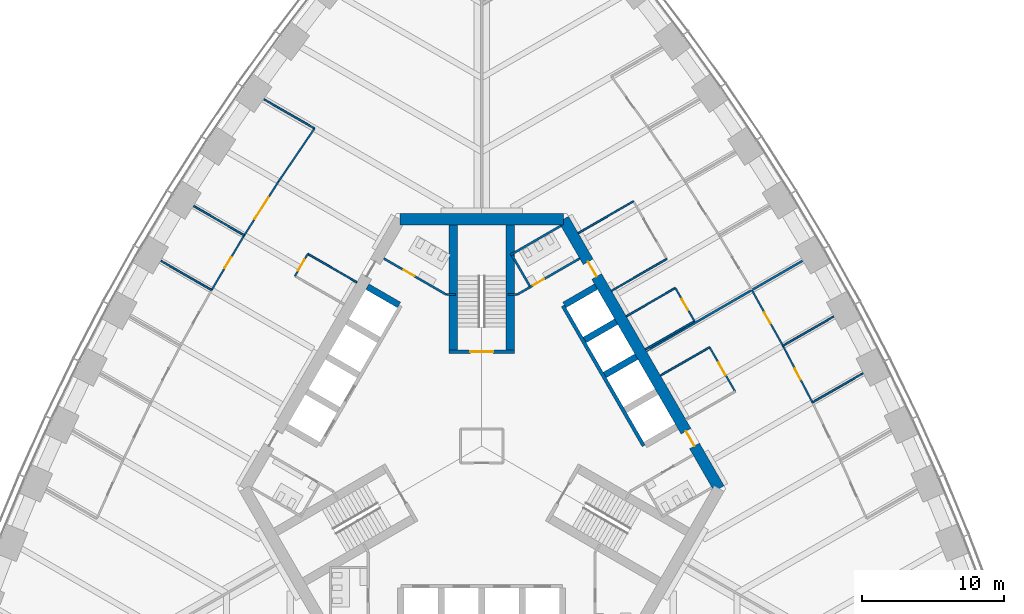
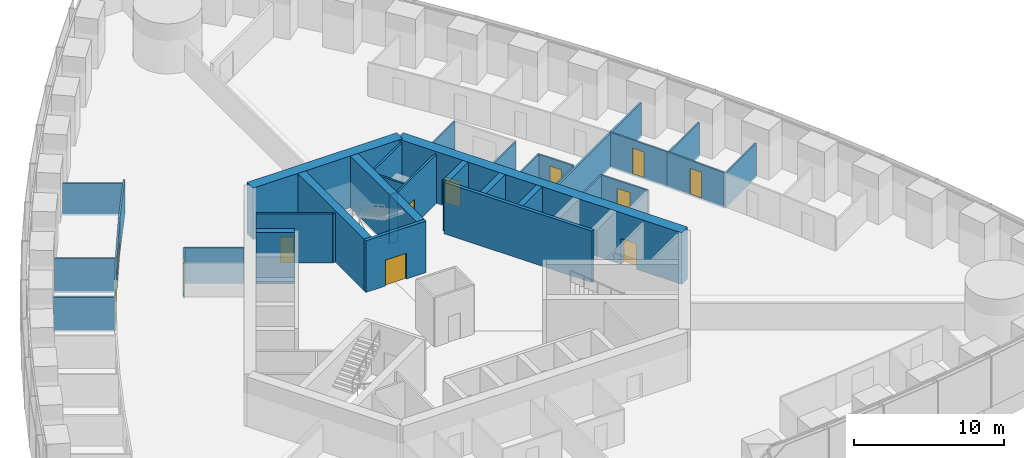
# One storey, part 12 of 19: 36 walls, 12 doors, 12 openings.
"""IFC4 building model written with IfcOpenShell, lengths in metres."""

from ifc_helpers import new_model, si_unit, direction, frame, frame_2d, origin, place, context, subcontext, project, spatial, rectangle, extrude, material, layer, layer_set, type_object, element, fill, save


model = new_model("IFC4")

# Units and contexts
model_context = context("Model", 3, precision=1e-05, world=origin(), true_north=direction((0.0, 1.0)))
body_context = subcontext(model_context, "Body", "Model", "MODEL_VIEW")
ifc_project = project(units=[si_unit("LENGTHUNIT", "METRE"), si_unit("AREAUNIT", "SQUARE_METRE"), si_unit("VOLUMEUNIT", "CUBIC_METRE"), si_unit("PLANEANGLEUNIT", "RADIAN"), si_unit("MASSUNIT", "GRAM", prefix="KILO")], contexts=[model_context])

# Site, building, storey
site_placement = place(None, origin())
site = spatial("IfcSite", under=ifc_project, at=site_placement, CompositionType="ELEMENT")
building_placement = place(site_placement, origin())
building = spatial("IfcBuilding", under=site, at=building_placement, Name="Trefoil Bronze Tower", CompositionType="ELEMENT")
storey_placement = place(building_placement, frame((0.0, 0.0, 79.5)))
storey = spatial("IfcBuildingStorey", under=building, at=storey_placement, Name="L18", CompositionType="ELEMENT", Elevation=79.5)

# Wall, openings, doors
ifc_material_1 = material(Name="Concrete B80", Category="concrete")
ifc_layer_1 = layer(ifc_material_1, 0.800048828125)
ifc_layer_set_1 = layer_set([ifc_layer_1], Name="Core wall 800")
wall_type_1 = type_object("IfcWallType", Name="Core wall 800", PredefinedType="SHEAR", material=ifc_layer_set_1)
wall_1_placement = place(storey_placement, frame((16.7431640625, -3.0, 0.0), z_axis=(0.0, 0.0, 1.0), x_axis=(-0.500002442456, 0.866023993627, 0.0)))
wall_1 = element("IfcWall", 1, at=wall_1_placement, inside=storey, type_object=wall_type_1, Name="Core long wall 2 L18", PredefinedType="SHEAR", context=body_context, shape_type="SweptSolid", body=[
    extrude(rectangle(XDim=21.939453125, YDim=0.800048828125, at=frame_2d((10.9697265625, 0.0))), origin(), (0.0, 0.0, 1.0), 4.199951171875),
])
opening_1_placement = place(wall_1_placement, frame((17.269775390625, 0.0, 0.0)))
opening_1 = element("IfcOpeningElement", 2, at=opening_1_placement, cuts=wall_1, Name="Opening D2", PredefinedType="OPENING", context=body_context, shape_type="SweptSolid", body=[
    extrude(rectangle(XDim=1.199951171875, YDim=2.10009765625, at=frame_2d((0.60009765625, 1.050048828125))), frame((0.0, 0.409912109375, 0.0), z_axis=(0.0, -1.0, 0.0), x_axis=(1.0, 0.0, 0.0)), (0.0, 0.0, 1.0), 0.820068359375),
])
opening_2_placement = place(wall_1_placement, frame((3.4697265625, 0.0, 0.0)))
opening_2 = element("IfcOpeningElement", 3, at=opening_2_placement, cuts=wall_1, Name="Opening D2", PredefinedType="OPENING", context=body_context, shape_type="SweptSolid", body=[
    extrude(rectangle(XDim=1.199951171875, YDim=2.10009765625, at=frame_2d((0.60009765625, 1.050048828125))), frame((0.0, 0.409912109375, 0.0), z_axis=(0.0, -1.0, 0.0), x_axis=(1.0, 0.0, 0.0)), (0.0, 0.0, 1.0), 0.820068359375),
])
ifc_material_2 = material(Name="Steel door", Category="steel")
door_type_1 = type_object("IfcDoorType", Name="Lobby door 1200", OperationType="SINGLE_SWING_RIGHT", PredefinedType="DOOR", material=ifc_material_2)
door_1_placement = place(opening_1_placement, origin())
door_1 = element("IfcDoor", 4, at=door_1_placement, inside=storey, type_object=door_type_1, Name="Lobby door F2+ L18", OperationType="SINGLE_SWING_RIGHT", OverallHeight=2.10009765625, OverallWidth=1.199951171875, PredefinedType="DOOR", context=body_context, shape_type="SweptSolid", body=[
    extrude(rectangle(XDim=1.199951171875, YDim=2.10009765625, at=frame_2d((0.60009765625, 1.050048828125))), frame((0.0, 0.02490234375, 0.0), z_axis=(0.0, -1.0, 0.0), x_axis=(1.0, 0.0, 0.0)), (0.0, 0.0, 1.0), 0.050048828125),
])
fill(opening_1, door_1)
door_2_placement = place(opening_2_placement, origin())
door_2 = element("IfcDoor", 5, at=door_2_placement, inside=storey, type_object=door_type_1, Name="Lobby door F2- L18", OperationType="SINGLE_SWING_LEFT", OverallHeight=2.10009765625, OverallWidth=1.199951171875, PredefinedType="DOOR", context=body_context, shape_type="SweptSolid", body=[
    extrude(rectangle(XDim=1.199951171875, YDim=2.10009765625, at=frame_2d((0.60009765625, 1.050048828125))), frame((0.0, 0.02490234375, 0.0), z_axis=(0.0, -1.0, 0.0), x_axis=(1.0, 0.0, 0.0)), (0.0, 0.0, 1.0), 0.050048828125),
])
fill(opening_2, door_2)

# Wall
wall_2_placement = place(storey_placement, frame((5.7734375, 16.0, 0.0), z_axis=(0.0, 0.0, 1.0), x_axis=(-1.0, 0.0, 0.0)))
element("IfcWall", 6, at=wall_2_placement, inside=storey, type_object=wall_type_1, Name="Core short wall 2 L18", PredefinedType="SHEAR", context=body_context, shape_type="SweptSolid", body=[
    extrude(rectangle(XDim=11.546875, YDim=0.800048828125, at=frame_2d((5.7734375, 0.0))), origin(), (0.0, 0.0, 1.0), 4.199951171875),
])

# Wall, opening, door
ifc_material_3 = material(Name="Glazed partition", Category="glass")
ifc_layer_2 = layer(ifc_material_3, 0.1201171875)
ifc_layer_set_2 = layer_set([ifc_layer_2], Name="Glazed partition 120")
wall_type_2 = type_object("IfcWallType", Name="Glazed partition 120", PredefinedType="PARTITIONING", material=ifc_layer_set_2)
wall_3_placement = place(storey_placement, frame((15.00634765625, 8.808349609375, 0.0), z_axis=(0.0, 0.0, 1.0), x_axis=(-0.500048589285, 0.86599734893, 0.0)))
wall_3 = element("IfcWall", 7, at=wall_3_placement, inside=storey, type_object=wall_type_2, Name="Partition F2 L18", PredefinedType="PARTITIONING", context=body_context, shape_type="SweptSolid", body=[
    extrude(rectangle(XDim=2.699951171875, YDim=0.1201171875, at=frame_2d((1.35009765625, 0.0))), origin(), (0.0, 0.0, 1.0), 2.89990234375),
])
opening_3_placement = place(wall_3_placement, frame((0.89990234375, 0.0, 0.14990234375)))
opening_3 = element("IfcOpeningElement", 8, at=opening_3_placement, cuts=wall_3, Name="Opening D8", PredefinedType="OPENING", context=body_context, shape_type="SweptSolid", body=[
    extrude(rectangle(XDim=0.89990234375, YDim=2.10009765625, at=frame_2d((0.449951171875, 1.050048828125))), frame((0.0, 0.070068359375, 0.0), z_axis=(0.0, -1.0, 0.0), x_axis=(1.0, 0.0, 0.0)), (0.0, 0.0, 1.0), 0.14013671875),
])
ifc_material_4 = material(Name="Timber door", Category="wood")
door_type_2 = type_object("IfcDoorType", Name="Office door 900", OperationType="SINGLE_SWING_LEFT", PredefinedType="DOOR", material=ifc_material_4)
door_3_placement = place(opening_3_placement, origin())
door_3 = element("IfcDoor", 9, at=door_3_placement, inside=storey, type_object=door_type_2, Name="Pantry door F2 L18", OperationType="SINGLE_SWING_LEFT", OverallHeight=2.10009765625, OverallWidth=0.89990234375, PredefinedType="DOOR", context=body_context, shape_type="SweptSolid", body=[
    extrude(rectangle(XDim=0.89990234375, YDim=2.10009765625, at=frame_2d((0.449951171875, 1.050048828125))), frame((0.0, 0.02490234375, 0.0), z_axis=(0.0, -1.0, 0.0), x_axis=(1.0, 0.0, 0.0)), (0.0, 0.0, 1.0), 0.050048828125),
])
fill(opening_3, door_3)

wall_4_placement = place(storey_placement, frame((17.868896484375, 3.850341796875, 0.0), z_axis=(0.0, 0.0, 1.0), x_axis=(-0.500012057535, 0.866018442252, 0.0)))
wall_4 = element("IfcWall", 10, at=wall_4_placement, inside=storey, type_object=wall_type_2, Name="Partition F2 L18", PredefinedType="PARTITIONING", context=body_context, shape_type="SweptSolid", body=[
    extrude(rectangle(XDim=3.60009765625, YDim=0.1201171875, at=frame_2d((1.800048828125, 0.0))), origin(), (0.0, 0.0, 1.0), 2.89990234375),
])
opening_4_placement = place(wall_4_placement, frame((1.35009765625, 0.0, 0.14990234375)))
opening_4 = element("IfcOpeningElement", 11, at=opening_4_placement, cuts=wall_4, Name="Opening D9", PredefinedType="OPENING", context=body_context, shape_type="SweptSolid", body=[
    extrude(rectangle(XDim=1.0, YDim=2.10009765625, at=frame_2d((0.5, 1.050048828125))), frame((0.0, 0.070068359375, 0.0), z_axis=(0.0, -1.0, 0.0), x_axis=(1.0, 0.0, 0.0)), (0.0, 0.0, 1.0), 0.14013671875),
])
ifc_material_5 = material(Name="Glazed timber door", Category="wood")
door_type_3 = type_object("IfcDoorType", Name="Meeting room door 1000", OperationType="SINGLE_SWING_LEFT", PredefinedType="DOOR", material=ifc_material_5)
door_4_placement = place(opening_4_placement, origin())
door_4 = element("IfcDoor", 12, at=door_4_placement, inside=storey, type_object=door_type_3, Name="Meeting room door F2 L18", OperationType="SINGLE_SWING_RIGHT", OverallHeight=2.10009765625, OverallWidth=1.0, PredefinedType="DOOR", context=body_context, shape_type="SweptSolid", body=[
    extrude(rectangle(XDim=1.0, YDim=2.10009765625, at=frame_2d((0.5, 1.050048828125))), frame((0.0, 0.02490234375, 0.0), z_axis=(0.0, -1.0, 0.0), x_axis=(1.0, 0.0, 0.0)), (0.0, 0.0, 1.0), 0.050048828125),
])
fill(opening_4, door_4)

# Walls
wall_5_placement = place(storey_placement, frame((11.542236328125, 6.808349609375, 0.0), z_axis=(0.0, 0.0, 1.0), x_axis=(0.866026010844, 0.49999894854, 0.0)))
element("IfcWall", 13, at=wall_5_placement, inside=storey, type_object=wall_type_2, Name="Partition F2 L18", PredefinedType="PARTITIONING", context=body_context, shape_type="SweptSolid", body=[
    extrude(rectangle(XDim=4.0, YDim=0.1201171875, at=frame_2d((2.0, 0.0))), origin(), (0.0, 0.0, 1.0), 2.800048828125),
])
wall_6_placement = place(storey_placement, frame((10.192138671875, 9.146484375, 0.0), z_axis=(0.0, 0.0, 1.0), x_axis=(0.866026010844, 0.49999894854, 0.0)))
element("IfcWall", 14, at=wall_6_placement, inside=storey, type_object=wall_type_2, Name="Partition F2 L18", PredefinedType="PARTITIONING", context=body_context, shape_type="SweptSolid", body=[
    extrude(rectangle(XDim=4.0, YDim=0.1201171875, at=frame_2d((2.0, 0.0))), origin(), (0.0, 0.0, 1.0), 2.89990234375),
])
wall_7_placement = place(storey_placement, frame((9.15478515625, 10.943603515625, 0.0), z_axis=(0.0, 0.0, 1.0), x_axis=(0.866017533419, 0.500013631625, 0.0)))
element("IfcWall", 15, at=wall_7_placement, inside=storey, type_object=wall_type_2, Name="Partition F2 L18", PredefinedType="PARTITIONING", context=body_context, shape_type="SweptSolid", body=[
    extrude(rectangle(XDim=4.499755859375, YDim=0.1201171875, at=frame_2d((2.25, 0.0))), origin(), (0.0, 0.0, 1.0), 2.89990234375),
])
wall_8_placement = place(storey_placement, frame((6.8046875, 15.013916015625, 0.0), z_axis=(0.0, 0.0, 1.0), x_axis=(0.866031096941, 0.499990139034, 0.0)))
element("IfcWall", 16, at=wall_8_placement, inside=storey, type_object=wall_type_2, Name="Partition F2 L18", PredefinedType="PARTITIONING", context=body_context, shape_type="SweptSolid", body=[
    extrude(rectangle(XDim=4.5, YDim=0.1201171875, at=frame_2d((2.25, 0.0))), origin(), (0.0, 0.0, 1.0), 2.89990234375),
])
wall_9_placement = place(storey_placement, frame((12.604736328125, 4.968017578125, 0.0), z_axis=(0.0, 0.0, 1.0), x_axis=(0.866026010844, 0.49999894854, 0.0)))
element("IfcWall", 17, at=wall_9_placement, inside=storey, type_object=wall_type_2, Name="Partition F2 L18", PredefinedType="PARTITIONING", context=body_context, shape_type="SweptSolid", body=[
    extrude(rectangle(XDim=4.0, YDim=0.1201171875, at=frame_2d((2.0, 0.0))), origin(), (0.0, 0.0, 1.0), 2.89990234375),
])

# Wall, opening, door
wall_10_placement = place(storey_placement, frame((21.244873046875, 7.069580078125, 0.0), z_axis=(0.0, 0.0, 1.0), x_axis=(-0.487373854787, 0.873193406795, 0.0)))
wall_10 = element("IfcWall", 18, at=wall_10_placement, inside=storey, type_object=wall_type_2, Name="Partition F2 L18", PredefinedType="PARTITIONING", context=body_context, shape_type="SweptSolid", body=[
    extrude(rectangle(XDim=4.500244140625, YDim=0.1201171875, at=frame_2d((2.25, 0.0))), origin(), (0.0, 0.0, 1.0), 2.89990234375),
])
opening_5_placement = place(wall_10_placement, frame((1.800048828125, 0.0, 0.14990234375)))
opening_5 = element("IfcOpeningElement", 19, at=opening_5_placement, cuts=wall_10, Name="Opening D8", PredefinedType="OPENING", context=body_context, shape_type="SweptSolid", body=[
    extrude(rectangle(XDim=0.89990234375, YDim=2.10009765625, at=frame_2d((0.449951171875, 1.050048828125))), frame((0.0, 0.070068359375, 0.0), z_axis=(0.0, -1.0, 0.0), x_axis=(1.0, 0.0, 0.0)), (0.0, 0.0, 1.0), 0.14013671875),
])
door_5_placement = place(opening_5_placement, frame((0.89990234375, 0.0, 0.0), z_axis=(0.0, 0.0, 1.0), x_axis=(-1.0, 0.0, 0.0)))
door_5 = element("IfcDoor", 20, at=door_5_placement, inside=storey, type_object=door_type_2, Name="Office door F2 L18", OperationType="SINGLE_SWING_RIGHT", OverallHeight=2.10009765625, OverallWidth=0.89990234375, PredefinedType="DOOR", context=body_context, shape_type="SweptSolid", body=[
    extrude(rectangle(XDim=0.89990234375, YDim=2.10009765625, at=frame_2d((0.449951171875, 1.050048828125))), frame((0.0, 0.02490234375, 0.0), z_axis=(0.0, -1.0, 0.0), x_axis=(1.0, 0.0, 0.0)), (0.0, 0.0, 1.0), 0.050048828125),
])
fill(opening_5, door_5)

wall_11_placement = place(storey_placement, frame((23.3251953125, 3.074462890625, 0.0), z_axis=(0.0, 0.0, 1.0), x_axis=(-0.461852697957, 0.886956642339, 0.0)))
wall_11 = element("IfcWall", 21, at=wall_11_placement, inside=storey, type_object=wall_type_2, Name="Partition F2 L18", PredefinedType="PARTITIONING", context=body_context, shape_type="SweptSolid", body=[
    extrude(rectangle(XDim=4.50439453125, YDim=0.1201171875, at=frame_2d((2.252197265625, 0.0))), origin(), (0.0, 0.0, 1.0), 2.89990234375),
])
opening_6_placement = place(wall_11_placement, frame((1.800048828125, 0.0, 0.14990234375)))
opening_6 = element("IfcOpeningElement", 22, at=opening_6_placement, cuts=wall_11, Name="Opening D8", PredefinedType="OPENING", context=body_context, shape_type="SweptSolid", body=[
    extrude(rectangle(XDim=0.89990234375, YDim=2.10009765625, at=frame_2d((0.449951171875, 1.050048828125))), frame((0.0, 0.070068359375, 0.0), z_axis=(0.0, -1.0, 0.0), x_axis=(1.0, 0.0, 0.0)), (0.0, 0.0, 1.0), 0.14013671875),
])
door_6_placement = place(opening_6_placement, frame((0.89990234375, 0.0, 0.0), z_axis=(0.0, 0.0, 1.0), x_axis=(-1.0, 0.0, 0.0)))
door_6 = element("IfcDoor", 23, at=door_6_placement, inside=storey, type_object=door_type_2, Name="Office door F2 L18", OperationType="SINGLE_SWING_RIGHT", OverallHeight=2.10009765625, OverallWidth=0.89990234375, PredefinedType="DOOR", context=body_context, shape_type="SweptSolid", body=[
    extrude(rectangle(XDim=0.89990234375, YDim=2.10009765625, at=frame_2d((0.449951171875, 1.050048828125))), frame((0.0, 0.02490234375, 0.0), z_axis=(0.0, -1.0, 0.0), x_axis=(1.0, 0.0, 0.0)), (0.0, 0.0, 1.0), 0.050048828125),
])
fill(opening_6, door_6)

# Walls
wall_12_placement = place(storey_placement, frame((21.244873046875, 7.069580078125, 0.0), z_axis=(0.0, 0.0, 1.0), x_axis=(0.866031617834, 0.499989236795, 0.0)))
element("IfcWall", 24, at=wall_12_placement, inside=storey, type_object=wall_type_2, Name="Partition F2 L18", PredefinedType="PARTITIONING", context=body_context, shape_type="SweptSolid", body=[
    extrude(rectangle(XDim=4.119140625, YDim=0.1201171875, at=frame_2d((2.0595703125, 0.0))), origin(), (0.0, 0.0, 1.0), 2.800048828125),
])
wall_13_placement = place(storey_placement, frame((23.3251953125, 3.074462890625, 0.0), z_axis=(0.0, 0.0, 1.0), x_axis=(0.866030556495, 0.499991075137, 0.0)))
element("IfcWall", 25, at=wall_13_placement, inside=storey, type_object=wall_type_2, Name="Partition F2 L18", PredefinedType="PARTITIONING", context=body_context, shape_type="SweptSolid", body=[
    extrude(rectangle(XDim=4.1171875, YDim=0.1201171875, at=frame_2d((2.05859375, 0.0))), origin(), (0.0, 0.0, 1.0), 2.800048828125),
])

# Wall, opening, door
wall_14_placement = place(storey_placement, frame((-12.268798828125, 13.5498046875, 0.0), z_axis=(0.0, 0.0, 1.0), x_axis=(-0.500062916607, -0.865989075817, 0.0)))
wall_14 = element("IfcWall", 26, at=wall_14_placement, inside=storey, type_object=wall_type_2, Name="Partition F3 L18", PredefinedType="PARTITIONING", context=body_context, shape_type="SweptSolid", body=[
    extrude(rectangle(XDim=1.800048828125, YDim=0.1201171875, at=frame_2d((0.89990234375, 0.0))), origin(), (0.0, 0.0, 1.0), 2.89990234375),
])
opening_7_placement = place(wall_14_placement, frame((0.449951171875, 0.0, 0.14990234375)))
opening_7 = element("IfcOpeningElement", 27, at=opening_7_placement, cuts=wall_14, Name="Opening D8", PredefinedType="OPENING", context=body_context, shape_type="SweptSolid", body=[
    extrude(rectangle(XDim=0.89990234375, YDim=2.10009765625, at=frame_2d((0.449951171875, 1.050048828125))), frame((0.0, 0.070068359375, 0.0), z_axis=(0.0, -1.0, 0.0), x_axis=(1.0, 0.0, 0.0)), (0.0, 0.0, 1.0), 0.14013671875),
])
door_7_placement = place(opening_7_placement, origin())
door_7 = element("IfcDoor", 28, at=door_7_placement, inside=storey, type_object=door_type_2, Name="Focus room door F3 L18", OperationType="SINGLE_SWING_LEFT", OverallHeight=2.10009765625, OverallWidth=0.89990234375, PredefinedType="DOOR", context=body_context, shape_type="SweptSolid", body=[
    extrude(rectangle(XDim=0.89990234375, YDim=2.10009765625, at=frame_2d((0.449951171875, 1.050048828125))), frame((0.0, 0.02490234375, 0.0), z_axis=(0.0, -1.0, 0.0), x_axis=(1.0, 0.0, 0.0)), (0.0, 0.0, 1.0), 0.050048828125),
])
fill(opening_7, door_7)

# Walls
wall_15_placement = place(storey_placement, frame((-8.8046875, 11.5498046875, 0.0), z_axis=(0.0, 0.0, 1.0), x_axis=(-0.866026010844, 0.49999894854, 0.0)))
element("IfcWall", 29, at=wall_15_placement, inside=storey, type_object=wall_type_2, Name="Partition F3 L18", PredefinedType="PARTITIONING", context=body_context, shape_type="SweptSolid", body=[
    extrude(rectangle(XDim=4.0, YDim=0.1201171875, at=frame_2d((2.0, 0.0))), origin(), (0.0, 0.0, 1.0), 2.89990234375),
])
wall_16_placement = place(storey_placement, frame((-11.791748046875, 22.396240234375, 0.0), z_axis=(0.0, 0.0, 1.0), x_axis=(-0.561512004239, -0.827468591002, 0.0)))
element("IfcWall", 30, at=wall_16_placement, inside=storey, type_object=wall_type_2, Name="Partition F3 L18", PredefinedType="PARTITIONING", context=body_context, shape_type="SweptSolid", body=[
    extrude(rectangle(XDim=4.51171875, YDim=0.1201171875, at=frame_2d((2.255859375, 0.0))), origin(), (0.0, 0.0, 1.0), 2.89990234375),
])

# Wall, opening, door
wall_17_placement = place(storey_placement, frame((-16.744873046875, 14.86376953125, 0.0), z_axis=(0.0, 0.0, 1.0), x_axis=(-0.51252396108, -0.858672923364, 0.0)))
wall_17 = element("IfcWall", 31, at=wall_17_placement, inside=storey, type_object=wall_type_2, Name="Partition F3 L18", PredefinedType="PARTITIONING", context=body_context, shape_type="SweptSolid", body=[
    extrude(rectangle(XDim=4.50048828125, YDim=0.1201171875, at=frame_2d((2.250244140625, 0.0))), origin(), (0.0, 0.0, 1.0), 2.89990234375),
])
opening_8_placement = place(wall_17_placement, frame((1.800048828125, 0.0, 0.14990234375)))
opening_8 = element("IfcOpeningElement", 32, at=opening_8_placement, cuts=wall_17, Name="Opening D8", PredefinedType="OPENING", context=body_context, shape_type="SweptSolid", body=[
    extrude(rectangle(XDim=0.89990234375, YDim=2.10009765625, at=frame_2d((0.449951171875, 1.050048828125))), frame((0.0, 0.070068359375, 0.0), z_axis=(0.0, -1.0, 0.0), x_axis=(1.0, 0.0, 0.0)), (0.0, 0.0, 1.0), 0.14013671875),
])
door_8_placement = place(opening_8_placement, frame((0.89990234375, 0.0, 0.0), z_axis=(0.0, 0.0, 1.0), x_axis=(-1.0, 0.0, 0.0)))
door_8 = element("IfcDoor", 33, at=door_8_placement, inside=storey, type_object=door_type_2, Name="Office door F3 L18", OperationType="SINGLE_SWING_RIGHT", OverallHeight=2.10009765625, OverallWidth=0.89990234375, PredefinedType="DOOR", context=body_context, shape_type="SweptSolid", body=[
    extrude(rectangle(XDim=0.89990234375, YDim=2.10009765625, at=frame_2d((0.449951171875, 1.050048828125))), frame((0.0, 0.02490234375, 0.0), z_axis=(0.0, -1.0, 0.0), x_axis=(1.0, 0.0, 0.0)), (0.0, 0.0, 1.0), 0.050048828125),
])
fill(opening_8, door_8)

wall_18_placement = place(storey_placement, frame((-14.3251953125, 18.662841796875, 0.0), z_axis=(0.0, 0.0, 1.0), x_axis=(-0.537205132487, -0.843451626135, 0.0)))
wall_18 = element("IfcWall", 34, at=wall_18_placement, inside=storey, type_object=wall_type_2, Name="Partition F3 L18", PredefinedType="PARTITIONING", context=body_context, shape_type="SweptSolid", body=[
    extrude(rectangle(XDim=4.504150390625, YDim=0.1201171875, at=frame_2d((2.251953125, 0.0))), origin(), (0.0, 0.0, 1.0), 2.89990234375),
])
opening_9_placement = place(wall_18_placement, frame((1.35009765625, 0.0, 0.14990234375)))
opening_9 = element("IfcOpeningElement", 35, at=opening_9_placement, cuts=wall_18, Name="Opening D10", PredefinedType="OPENING", context=body_context, shape_type="SweptSolid", body=[
    extrude(rectangle(XDim=1.800048828125, YDim=2.10009765625, at=frame_2d((0.89990234375, 1.050048828125))), frame((0.0, 0.070068359375, 0.0), z_axis=(0.0, -1.0, 0.0), x_axis=(1.0, 0.0, 0.0)), (0.0, 0.0, 1.0), 0.14013671875),
])
ifc_material_6 = material(Name="Timber door", Category="wood")
door_type_4 = type_object("IfcDoorType", Name="Double door 1800", OperationType="DOUBLE_DOOR_SINGLE_SWING", PredefinedType="DOOR", material=ifc_material_6)
door_9_placement = place(opening_9_placement, frame((1.800048828125, 0.0, 0.0), z_axis=(0.0, 0.0, 1.0), x_axis=(-1.0, 0.0, 0.0)))
door_9 = element("IfcDoor", 36, at=door_9_placement, inside=storey, type_object=door_type_4, Name="Library door F3 L18", OperationType="DOUBLE_DOOR_SINGLE_SWING", OverallHeight=2.10009765625, OverallWidth=1.800048828125, PredefinedType="DOOR", context=body_context, shape_type="SweptSolid", body=[
    extrude(rectangle(XDim=1.800048828125, YDim=2.10009765625, at=frame_2d((0.89990234375, 1.050048828125))), frame((0.0, 0.02490234375, 0.0), z_axis=(0.0, -1.0, 0.0), x_axis=(1.0, 0.0, 0.0)), (0.0, 0.0, 1.0), 0.050048828125),
])
fill(opening_9, door_9)

# Walls
wall_19_placement = place(storey_placement, frame((-19.051513671875, 10.999267578125, 0.0), z_axis=(0.0, 0.0, 1.0), x_axis=(-0.866009926209, 0.50002680699, 0.0)))
element("IfcWall", 37, at=wall_19_placement, inside=storey, type_object=wall_type_2, Name="Partition F3 L18", PredefinedType="PARTITIONING", context=body_context, shape_type="SweptSolid", body=[
    extrude(rectangle(XDim=4.119873046875, YDim=0.1201171875, at=frame_2d((2.06005859375, 0.0))), origin(), (0.0, 0.0, 1.0), 2.800048828125),
])
wall_20_placement = place(storey_placement, frame((-11.791748046875, 22.396240234375, 0.0), z_axis=(0.0, 0.0, 1.0), x_axis=(-0.865991869213, 0.500058079084, 0.0)))
element("IfcWall", 38, at=wall_20_placement, inside=storey, type_object=wall_type_2, Name="Partition F3 L18", PredefinedType="PARTITIONING", context=body_context, shape_type="SweptSolid", body=[
    extrude(rectangle(XDim=4.11376953125, YDim=0.1201171875, at=frame_2d((2.056884765625, 0.0))), origin(), (0.0, 0.0, 1.0), 2.60009765625),
])
wall_21_placement = place(storey_placement, frame((-16.744873046875, 14.86376953125, 0.0), z_axis=(0.0, 0.0, 1.0), x_axis=(-0.8660059538, 0.500033686847, 0.0)))
element("IfcWall", 39, at=wall_21_placement, inside=storey, type_object=wall_type_2, Name="Partition F3 L18", PredefinedType="PARTITIONING", context=body_context, shape_type="SweptSolid", body=[
    extrude(rectangle(XDim=4.119384765625, YDim=0.1201171875, at=frame_2d((2.0595703125, 0.0))), origin(), (0.0, 0.0, 1.0), 2.800048828125),
])
ifc_material_7 = material(Name="Concrete B80", Category="concrete")
ifc_layer_3 = layer(ifc_material_7, 0.449951171875)
ifc_layer_set_3 = layer_set([ifc_layer_3], Name="Outrigger shaft wall 450")
wall_type_3 = type_object("IfcWallType", Name="Outrigger shaft wall 450", PredefinedType="SHEAR", material=ifc_layer_set_3)
for number, where, z_axis, x_axis, name in (
    (40, (8.681884765625, 5.012451171875, 0.0), (0.0, 0.0, 1.0), (0.866005588531, 0.500034319456, 0.0), "Lift shaft side wall B2 L18"),
    (41, (7.2568359375, 7.480712890625, 0.0), (0.0, 0.0, 1.0), (0.866046643894, 0.499963209246, 0.0), "Lift shaft side wall B3 L18"),
):
    element("IfcWall", number, at=place(storey_placement, frame(where, z_axis=z_axis, x_axis=x_axis)), inside=storey, type_object=wall_type_3, Name=name, PredefinedType="SHEAR", context=body_context, shape_type="SweptSolid", body=[
        extrude(rectangle(XDim=2.574951171875, YDim=0.449951171875, at=frame_2d((1.28759765625, 0.0))), origin(), (0.0, 0.0, 1.0), 4.199951171875),
    ])
for number, where, z_axis, x_axis, name in (
    (42, (5.831787109375, 9.94873046875, 0.0), (0.0, 0.0, 1.0), (0.866029291668, 0.499993265928, 0.0), "Lift shaft side wall B4 L18"),
    (43, (-5.831787109375, 9.94873046875, 0.0), (0.0, 0.0, 1.0), (-0.866029291668, 0.499993265928, 0.0), "Lift shaft side wall C0 L18"),
):
    element("IfcWall", number, at=place(storey_placement, frame(where, z_axis=z_axis, x_axis=x_axis)), inside=storey, type_object=wall_type_3, Name=name, PredefinedType="SHEAR", context=body_context, shape_type="SweptSolid", body=[
        extrude(rectangle(XDim=2.5751953125, YDim=0.449951171875, at=frame_2d((1.28759765625, 0.0))), origin(), (0.0, 0.0, 1.0), 4.199951171875),
    ])

# Wall, opening, door
ifc_material_8 = material(Name="Gypsum board on steel studs", Category="steel")
ifc_layer_4 = layer(ifc_material_8, 0.14990234375)
ifc_layer_set_4 = layer_set([ifc_layer_4], Name="Partition 150")
wall_type_4 = type_object("IfcWallType", Name="Partition 150", PredefinedType="PARTITIONING", material=ifc_layer_set_4)
wall_22_placement = place(storey_placement, frame((2.4951171875, 10.67822265625, 0.0), z_axis=(0.0, 0.0, 1.0), x_axis=(0.86602216432, 0.500005610874, 0.0)))
wall_22 = element("IfcWall", 44, at=wall_22_placement, inside=storey, type_object=wall_type_4, Name="Passage wall F2+ L18", PredefinedType="PARTITIONING", context=body_context, shape_type="SweptSolid", body=[
    extrude(rectangle(XDim=5.10009765625, YDim=0.14990234375, at=frame_2d((2.550048828125, 0.0))), origin(), (0.0, 0.0, 1.0), 4.0),
])
opening_10_placement = place(wall_22_placement, frame((1.300048828125, 0.0, 0.0)))
opening_10 = element("IfcOpeningElement", 45, at=opening_10_placement, cuts=wall_22, Name="Opening D3", PredefinedType="OPENING", context=body_context, shape_type="SweptSolid", body=[
    extrude(rectangle(XDim=0.89990234375, YDim=2.10009765625, at=frame_2d((0.449951171875, 1.050048828125))), frame((0.0, 0.0849609375, 0.0), z_axis=(0.0, -1.0, 0.0), x_axis=(1.0, 0.0, 0.0)), (0.0, 0.0, 1.0), 0.169921875),
])
ifc_material_9 = material(Name="Timber door", Category="wood")
door_type_5 = type_object("IfcDoorType", Name="WC door 900", OperationType="SINGLE_SWING_LEFT", PredefinedType="DOOR", material=ifc_material_9)
door_10_placement = place(opening_10_placement, origin())
door_10 = element("IfcDoor", 46, at=door_10_placement, inside=storey, type_object=door_type_5, Name="WC (men) door L18", OperationType="SINGLE_SWING_LEFT", OverallHeight=2.10009765625, OverallWidth=0.89990234375, PredefinedType="DOOR", context=body_context, shape_type="SweptSolid", body=[
    extrude(rectangle(XDim=0.89990234375, YDim=2.10009765625, at=frame_2d((0.449951171875, 1.050048828125))), frame((0.0, 0.02490234375, 0.0), z_axis=(0.0, -1.0, 0.0), x_axis=(1.0, 0.0, 0.0)), (0.0, 0.0, 1.0), 0.050048828125),
])
fill(opening_10, door_10)

wall_23_placement = place(storey_placement, frame((-2.4951171875, 10.67822265625, 0.0), z_axis=(0.0, 0.0, 1.0), x_axis=(-0.86602216432, 0.500005610874, 0.0)))
wall_23 = element("IfcWall", 47, at=wall_23_placement, inside=storey, type_object=wall_type_4, Name="Passage wall F3- L18", PredefinedType="PARTITIONING", context=body_context, shape_type="SweptSolid", body=[
    extrude(rectangle(XDim=5.10009765625, YDim=0.14990234375, at=frame_2d((2.550048828125, 0.0))), origin(), (0.0, 0.0, 1.0), 4.0),
])
opening_11_placement = place(wall_23_placement, frame((2.60009765625, 0.0, 0.0)))
opening_11 = element("IfcOpeningElement", 48, at=opening_11_placement, cuts=wall_23, Name="Opening D3", PredefinedType="OPENING", context=body_context, shape_type="SweptSolid", body=[
    extrude(rectangle(XDim=0.89990234375, YDim=2.10009765625, at=frame_2d((0.449951171875, 1.050048828125))), frame((0.0, 0.0849609375, 0.0), z_axis=(0.0, -1.0, 0.0), x_axis=(1.0, 0.0, 0.0)), (0.0, 0.0, 1.0), 0.169921875),
])
door_11_placement = place(opening_11_placement, frame((0.89990234375, 0.0, 0.0), z_axis=(0.0, 0.0, 1.0), x_axis=(-1.0, 0.0, 0.0)))
door_11 = element("IfcDoor", 49, at=door_11_placement, inside=storey, type_object=door_type_5, Name="WC (women) door L18", OperationType="SINGLE_SWING_LEFT", OverallHeight=2.10009765625, OverallWidth=0.89990234375, PredefinedType="DOOR", context=body_context, shape_type="SweptSolid", body=[
    extrude(rectangle(XDim=0.89990234375, YDim=2.10009765625, at=frame_2d((0.449951171875, 1.050048828125))), frame((0.0, 0.02490234375, 0.0), z_axis=(0.0, -1.0, 0.0), x_axis=(1.0, 0.0, 0.0)), (0.0, 0.0, 1.0), 0.050048828125),
])
fill(opening_11, door_11)

# Walls
for number, where, z_axis, x_axis, name in (
    (50, (2.4951171875, 10.67822265625, 0.0), (0.0, 0.0, 1.0), (-1.0, 0.0, 0.0), "WC wall ST2-1 L18"),
    (51, (-2.4951171875, 10.67822265625, 0.0), (0.0, 0.0, 1.0), (1.0, 0.0, 0.0), "WC wall ST2+1 L18"),
):
    element("IfcWall", number, at=place(storey_placement, frame(where, z_axis=z_axis, x_axis=x_axis)), inside=storey, type_object=wall_type_4, Name=name, PredefinedType="PARTITIONING", context=body_context, shape_type="SweptSolid", body=[
        extrude(rectangle(XDim=0.64501953125, YDim=0.14990234375, at=frame_2d((0.322509765625, 0.0))), origin(), (0.0, 0.0, 1.0), 4.0),
    ])
wall_24_placement = place(storey_placement, frame((2.03125, 13.48193359375, 0.0), z_axis=(0.0, 0.0, 1.0), x_axis=(0.866050731258, 0.499956128963, 0.0)))
element("IfcWall", 52, at=wall_24_placement, inside=storey, type_object=wall_type_4, Name="WC partition WC (men) L18", PredefinedType="PARTITIONING", context=body_context, shape_type="SweptSolid", body=[
    extrude(rectangle(XDim=4.099853515625, YDim=0.14990234375, at=frame_2d((2.0498046875, 0.0))), origin(), (0.0, 0.0, 1.0), 4.0),
])
wall_25_placement = place(storey_placement, frame((3.388671875, 11.28076171875, 0.0), z_axis=(0.0, 0.0, 1.0), x_axis=(-0.499989096993, 0.866031698547, 0.0)))
element("IfcWall", 53, at=wall_25_placement, inside=storey, type_object=wall_type_4, Name="WC partition WC (men) L18", PredefinedType="PARTITIONING", context=body_context, shape_type="SweptSolid", body=[
    extrude(rectangle(XDim=2.509765625, YDim=0.14990234375, at=frame_2d((1.2548828125, 0.0))), origin(), (0.0, 0.0, 1.0), 4.0),
])
ifc_material_10 = material(Name="Gypsum board on steel studs", Category="steel")
ifc_layer_5 = layer(ifc_material_10, 0.14990234375)
ifc_layer_set_5 = layer_set([ifc_layer_5], Name="Party wall 150")
wall_type_5 = type_object("IfcWallType", Name="Party wall 150", PredefinedType="PARTITIONING", material=ifc_layer_set_5)
wall_26_placement = place(storey_placement, frame((11.61328125, 6.705078125, 0.0), z_axis=(0.0, 0.0, 1.0), x_axis=(0.866029791586, 0.499992400027, 0.0)))
element("IfcWall", 54, at=wall_26_placement, inside=storey, type_object=wall_type_5, Name="Demising wall F2 L18", PredefinedType="PARTITIONING", context=body_context, shape_type="SweptSolid", body=[
    extrude(rectangle(XDim=12.708740234375, YDim=0.14990234375, at=frame_2d((6.3544921875, 0.0))), origin(), (0.0, 0.0, 1.0), 2.800048828125),
])
ifc_material_11 = material(Name="Concrete B80", Category="concrete")
ifc_layer_6 = layer(ifc_material_11, 0.25)
ifc_layer_set_6 = layer_set([ifc_layer_6], Name="Shaft wall 250")
wall_type_6 = type_object("IfcWallType", Name="Shaft wall 250", PredefinedType="SHEAR", material=ifc_layer_set_6)
wall_27_placement = place(storey_placement, frame((11.423583984375, 0.013671875, 0.0), z_axis=(0.0, 0.0, 1.0), x_axis=(-0.500001763848, 0.866024385424, 0.0)))
element("IfcWall", 55, at=wall_27_placement, inside=storey, type_object=wall_type_6, Name="Lift shaft front wall B L18", PredefinedType="SHEAR", context=body_context, shape_type="SweptSolid", body=[
    extrude(rectangle(XDim=11.39990234375, YDim=0.25, at=frame_2d((5.699951171875, 0.0))), origin(), (0.0, 0.0, 1.0), 4.199951171875),
])

# Wall, opening, door
wall_28_placement = place(storey_placement, frame((2.324951171875, 6.64990234375, 0.0), z_axis=(0.0, 0.0, 1.0), x_axis=(-1.0, 0.0, 0.0)))
wall_28 = element("IfcWall", 56, at=wall_28_placement, inside=storey, type_object=wall_type_6, Name="Stair end wall ST2 L18", PredefinedType="SHEAR", context=body_context, shape_type="SweptSolid", body=[
    extrude(rectangle(XDim=4.64990234375, YDim=0.25, at=frame_2d((2.324951171875, 0.0))), origin(), (0.0, 0.0, 1.0), 4.199951171875),
])
opening_12_placement = place(wall_28_placement, frame((1.52490234375, 0.0, 0.0)))
opening_12 = element("IfcOpeningElement", 57, at=opening_12_placement, cuts=wall_28, Name="Opening D1", PredefinedType="OPENING", context=body_context, shape_type="SweptSolid", body=[
    extrude(rectangle(XDim=1.60009765625, YDim=2.10009765625, at=frame_2d((0.800048828125, 1.050048828125))), frame((0.0, 0.135009765625, 0.0), z_axis=(0.0, -1.0, 0.0), x_axis=(1.0, 0.0, 0.0)), (0.0, 0.0, 1.0), 0.27001953125),
])
ifc_material_12 = material(Name="Steel door", Category="steel")
door_type_6 = type_object("IfcDoorType", Name="Stair door 1600", OperationType="DOUBLE_DOOR_SINGLE_SWING", PredefinedType="DOOR", material=ifc_material_12)
door_12_placement = place(opening_12_placement, frame((1.60009765625, 0.0, 0.0), z_axis=(0.0, 0.0, 1.0), x_axis=(-1.0, 0.0, 0.0)))
door_12 = element("IfcDoor", 58, at=door_12_placement, inside=storey, type_object=door_type_6, Name="Stair door ST2 L18", OperationType="DOUBLE_DOOR_SINGLE_SWING", OverallHeight=2.10009765625, OverallWidth=1.60009765625, PredefinedType="DOOR", context=body_context, shape_type="SweptSolid", body=[
    extrude(rectangle(XDim=1.60009765625, YDim=2.10009765625, at=frame_2d((0.800048828125, 1.050048828125))), frame((0.0, 0.02490234375, 0.0), z_axis=(0.0, -1.0, 0.0), x_axis=(1.0, 0.0, 0.0)), (0.0, 0.0, 1.0), 0.050048828125),
])
fill(opening_12, door_12)

# Walls
ifc_material_13 = material(Name="Concrete B80", Category="concrete")
ifc_layer_7 = layer(ifc_material_13, 0.60009765625)
ifc_layer_set_7 = layer_set([ifc_layer_7], Name="Stair wall 600")
wall_type_7 = type_object("IfcWallType", Name="Stair wall 600", PredefinedType="SHEAR", material=ifc_layer_set_7)
for number, where, z_axis, x_axis, name in (
    (59, (2.02490234375, 6.52490234375, 0.0), (0.0, 0.0, 1.0), (0.0, 1.0, 0.0), "Stair wall ST2 L18"),
    (60, (-2.02490234375, 6.52490234375, 0.0), (0.0, 0.0, 1.0), (0.0, 1.0, 0.0), "Stair wall ST2 L18"),
):
    element("IfcWall", number, at=place(storey_placement, frame(where, z_axis=z_axis, x_axis=x_axis)), inside=storey, type_object=wall_type_7, Name=name, PredefinedType="SHEAR", context=body_context, shape_type="SweptSolid", body=[
        extrude(rectangle(XDim=9.0751953125, YDim=0.60009765625, at=frame_2d((4.53759765625, 0.0))), origin(), (0.0, 0.0, 1.0), 4.199951171875),
    ])

save(model, "model.ifc")
